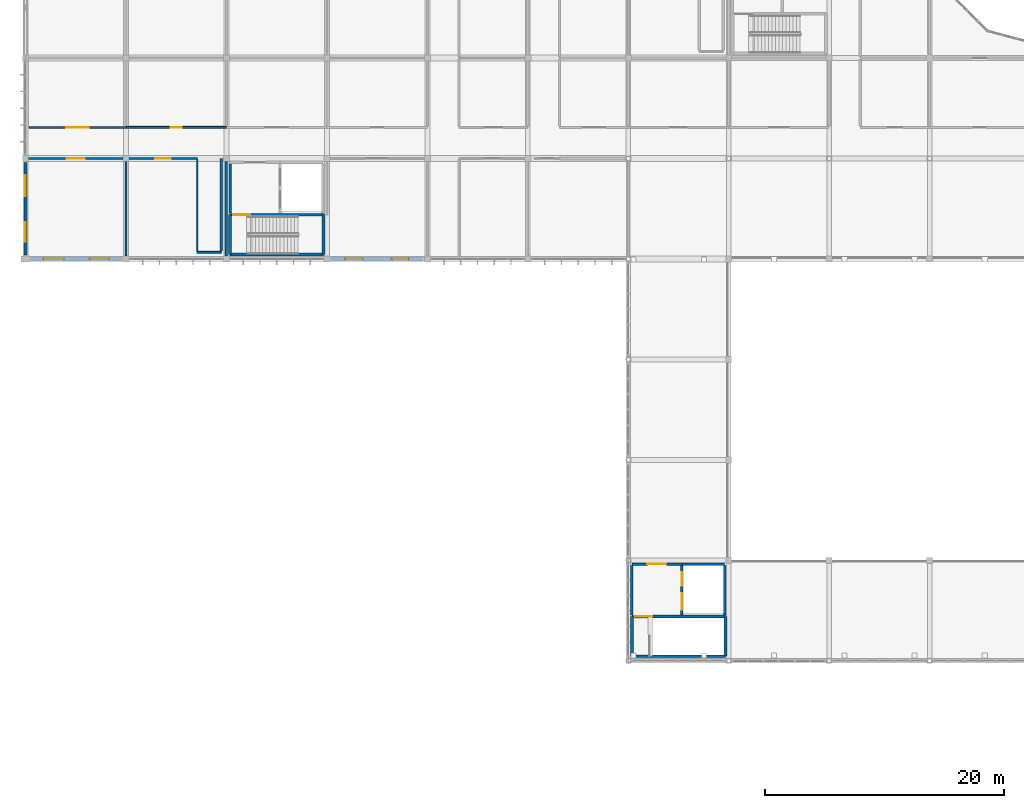
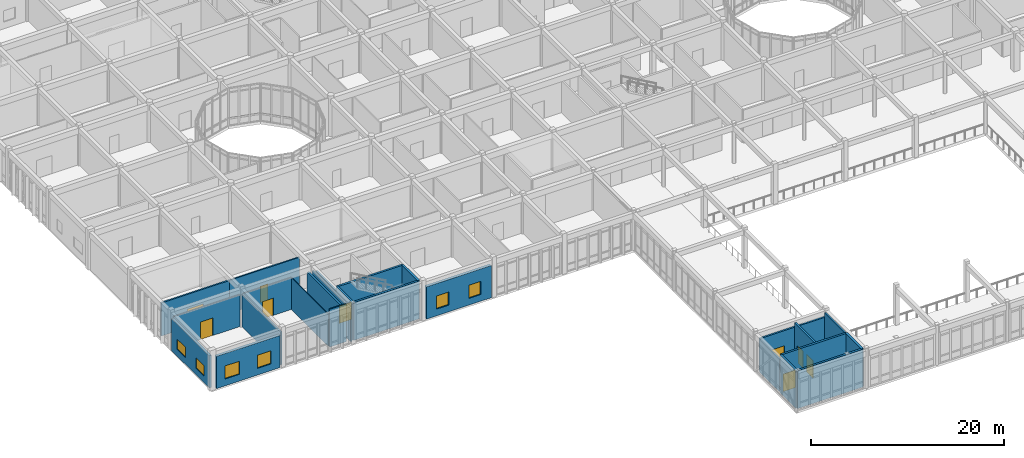
# One storey, part 91 of 134: 26 walls, 9 doors, 6 windows, 15 openings.
"""IFC4 building model written with IfcOpenShell, lengths in metres."""

from ifc_helpers import new_model, si_unit, direction, frame, frame_2d, origin, place, context, subcontext, project, spatial, rectangle, extrude, material, layer, layer_set, type_object, element, fill, save


model = new_model("IFC4")

# Units and contexts
model_context = context("Model", 3, precision=1e-05, world=origin(), true_north=direction((0.0, 1.0)))
body_context = subcontext(model_context, "Body", "Model", "MODEL_VIEW")
ifc_project = project(units=[si_unit("LENGTHUNIT", "METRE"), si_unit("AREAUNIT", "SQUARE_METRE"), si_unit("VOLUMEUNIT", "CUBIC_METRE"), si_unit("PLANEANGLEUNIT", "RADIAN"), si_unit("MASSUNIT", "GRAM", prefix="KILO")], contexts=[model_context])

# Site, building, storey
site_placement = place(None, origin())
site = spatial("IfcSite", under=ifc_project, at=site_placement, CompositionType="ELEMENT")
building_placement = place(site_placement, origin())
building = spatial("IfcBuilding", under=site, at=building_placement, Name="Bramfleet General Hospital", CompositionType="ELEMENT")
storey_placement = place(building_placement, frame((0.0, 0.0, 9.300048828125)))
storey = spatial("IfcBuildingStorey", under=building, at=storey_placement, Name="L02", CompositionType="ELEMENT", Elevation=9.300048828125)

# Wall, openings, windows
ifc_material_1 = material(Name="Precast concrete C40/50", Category="concrete")
ifc_layer_1 = layer(ifc_material_1, 0.3349609375, Name="WT-EW-03")
ifc_layer_set_1 = layer_set([ifc_layer_1], Name="Precast concrete C40/50")
wall_type_1 = type_object("IfcWallType", Name="WT-EW-03", PredefinedType="SOLIDWALL", material=ifc_layer_set_1)
wall_1_placement = place(storey_placement, frame((33.27490234375, 50.39990234375, 0.0), z_axis=(0.0, 0.0, 1.0), x_axis=(-1.0, 0.0, 0.0)))
wall_1 = element("IfcWall", 1, at=wall_1_placement, inside=storey, type_object=wall_type_1, Name="L02 Exterior Wall 232", PredefinedType="SOLIDWALL", context=body_context, shape_type="SweptSolid", body=[
    extrude(rectangle(XDim=7.75, YDim=0.3349609375, at=frame_2d((3.875, 0.0))), origin(), (0.0, 0.0, 1.0), 4.070068359375),
])
opening_1_placement = place(wall_1_placement, frame((1.237548828125, 0.0, 0.85009765625)))
opening_1 = element("IfcOpeningElement", 2, at=opening_1_placement, cuts=wall_1, Name="Opening W-34", PredefinedType="OPENING", context=body_context, shape_type="SweptSolid", body=[
    extrude(rectangle(XDim=1.39990234375, YDim=1.659912109375, at=frame_2d((0.699951171875, 0.830078125))), frame((0.0, 0.177490234375, 0.0), z_axis=(0.0, -1.0, 0.0), x_axis=(1.0, 0.0, 0.0)), (0.0, 0.0, 1.0), 0.35498046875),
])
opening_2_placement = place(wall_1_placement, frame((5.0625, 0.0, 0.85009765625)))
opening_2 = element("IfcOpeningElement", 3, at=opening_2_placement, cuts=wall_1, Name="Opening W-35", PredefinedType="OPENING", context=body_context, shape_type="SweptSolid", body=[
    extrude(rectangle(XDim=1.5, YDim=1.659912109375, at=frame_2d((0.75, 0.830078125))), frame((0.0, 0.177490234375, 0.0), z_axis=(0.0, -1.0, 0.0), x_axis=(1.0, 0.0, 0.0)), (0.0, 0.0, 1.0), 0.35498046875),
])
ifc_material_2 = material(Name="Anodised aluminium and low-E triple glazing", Category="aluminium")
window_type_1 = type_object("IfcWindowType", Name="WIN-W-34", PartitioningType="SINGLE_PANEL", PredefinedType="WINDOW", material=ifc_material_2)
window_1_placement = place(opening_1_placement, origin())
window_1 = element("IfcWindow", 4, at=window_1_placement, inside=storey, type_object=window_type_1, Name="L02 Facade Window WIN-L02-232-1", OverallHeight=1.659912109375, OverallWidth=1.39990234375, PartitioningType="SINGLE_PANEL", PredefinedType="WINDOW", context=body_context, shape_type="SweptSolid", body=[
    extrude(rectangle(XDim=1.39990234375, YDim=1.659912109375, at=frame_2d((0.699951171875, 0.830078125))), frame((0.0, 0.030029296875, 0.0), z_axis=(0.0, -1.0, 0.0), x_axis=(1.0, 0.0, 0.0)), (0.0, 0.0, 1.0), 0.06005859375),
])
fill(opening_1, window_1)
window_type_2 = type_object("IfcWindowType", Name="WIN-W-35", PartitioningType="SINGLE_PANEL", PredefinedType="WINDOW", material=ifc_material_2)
window_2_placement = place(opening_2_placement, origin())
window_2 = element("IfcWindow", 5, at=window_2_placement, inside=storey, type_object=window_type_2, Name="L02 Facade Window WIN-L02-232-2", OverallHeight=1.659912109375, OverallWidth=1.5, PartitioningType="SINGLE_PANEL", PredefinedType="WINDOW", context=body_context, shape_type="SweptSolid", body=[
    extrude(rectangle(XDim=1.5, YDim=1.659912109375, at=frame_2d((0.75, 0.830078125))), frame((0.0, 0.030029296875, 0.0), z_axis=(0.0, -1.0, 0.0), x_axis=(1.0, 0.0, 0.0)), (0.0, 0.0, 1.0), 0.06005859375),
])
fill(opening_2, window_2)

ifc_layer_2 = layer(ifc_material_1, 0.31494140625, Name="WT-EW-04")
ifc_layer_set_2 = layer_set([ifc_layer_2], Name="Precast concrete C40/50")
wall_type_2 = type_object("IfcWallType", Name="WT-EW-04", PredefinedType="SOLIDWALL", material=ifc_layer_set_2)
wall_2_placement = place(storey_placement, frame((8.074951171875, 50.39990234375, 0.0), z_axis=(0.0, 0.0, 1.0), x_axis=(-1.0, 0.0, 0.0)))
wall_2 = element("IfcWall", 6, at=wall_2_placement, inside=storey, type_object=wall_type_2, Name="L02 Exterior Wall 233", PredefinedType="SOLIDWALL", context=body_context, shape_type="SweptSolid", body=[
    extrude(rectangle(XDim=7.625, YDim=0.31494140625, at=frame_2d((3.8125, 0.0))), origin(), (0.0, 0.0, 1.0), 4.070068359375),
])
opening_3_placement = place(wall_2_placement, frame((1.106201171875, 0.0, 0.85009765625)))
opening_3 = element("IfcOpeningElement", 7, at=opening_3_placement, cuts=wall_2, Name="Opening W-36", PredefinedType="OPENING", context=body_context, shape_type="SweptSolid", body=[
    extrude(rectangle(XDim=1.60009765625, YDim=1.659912109375, at=frame_2d((0.800048828125, 0.830078125))), frame((0.0, 0.16748046875, 0.0), z_axis=(0.0, -1.0, 0.0), x_axis=(1.0, 0.0, 0.0)), (0.0, 0.0, 1.0), 0.3349609375),
])
opening_4_placement = place(wall_2_placement, frame((4.86865234375, 0.0, 0.85009765625)))
opening_4 = element("IfcOpeningElement", 8, at=opening_4_placement, cuts=wall_2, Name="Opening W-37", PredefinedType="OPENING", context=body_context, shape_type="SweptSolid", body=[
    extrude(rectangle(XDim=1.699951171875, YDim=1.659912109375, at=frame_2d((0.85009765625, 0.830078125))), frame((0.0, 0.16748046875, 0.0), z_axis=(0.0, -1.0, 0.0), x_axis=(1.0, 0.0, 0.0)), (0.0, 0.0, 1.0), 0.3349609375),
])
window_type_3 = type_object("IfcWindowType", Name="WIN-W-36", PartitioningType="SINGLE_PANEL", PredefinedType="WINDOW", material=ifc_material_2)
window_3_placement = place(opening_3_placement, origin())
window_3 = element("IfcWindow", 9, at=window_3_placement, inside=storey, type_object=window_type_3, Name="L02 Facade Window WIN-L02-233-1", OverallHeight=1.659912109375, OverallWidth=1.60009765625, PartitioningType="SINGLE_PANEL", PredefinedType="WINDOW", context=body_context, shape_type="SweptSolid", body=[
    extrude(rectangle(XDim=1.60009765625, YDim=1.659912109375, at=frame_2d((0.800048828125, 0.830078125))), frame((0.0, 0.030029296875, 0.0), z_axis=(0.0, -1.0, 0.0), x_axis=(1.0, 0.0, 0.0)), (0.0, 0.0, 1.0), 0.06005859375),
])
fill(opening_3, window_3)
window_type_4 = type_object("IfcWindowType", Name="WIN-W-37", PartitioningType="SINGLE_PANEL", PredefinedType="WINDOW", material=ifc_material_2)
window_4_placement = place(opening_4_placement, origin())
window_4 = element("IfcWindow", 10, at=window_4_placement, inside=storey, type_object=window_type_4, Name="L02 Facade Window WIN-L02-233-2", OverallHeight=1.659912109375, OverallWidth=1.699951171875, PartitioningType="SINGLE_PANEL", PredefinedType="WINDOW", context=body_context, shape_type="SweptSolid", body=[
    extrude(rectangle(XDim=1.699951171875, YDim=1.659912109375, at=frame_2d((0.85009765625, 0.830078125))), frame((0.0, 0.030029296875, 0.0), z_axis=(0.0, -1.0, 0.0), x_axis=(1.0, 0.0, 0.0)), (0.0, 0.0, 1.0), 0.06005859375),
])
fill(opening_4, window_4)

ifc_layer_3 = layer(ifc_material_1, 0.264892578125, Name="WT-EW-07")
ifc_layer_set_3 = layer_set([ifc_layer_3], Name="Precast concrete C40/50")
wall_type_3 = type_object("IfcWallType", Name="WT-EW-07", PredefinedType="SOLIDWALL", material=ifc_layer_set_3)
wall_3_placement = place(storey_placement, frame((0.0, 50.72509765625, 0.0), z_axis=(0.0, 0.0, 1.0), x_axis=(0.0, 1.0, 0.0)))
wall_3 = element("IfcWall", 11, at=wall_3_placement, inside=storey, type_object=wall_type_3, Name="L02 Exterior Wall 194", PredefinedType="SOLIDWALL", context=body_context, shape_type="SweptSolid", body=[
    extrude(rectangle(XDim=7.75, YDim=0.264892578125, at=frame_2d((3.875, 0.0))), origin(), (0.0, 0.0, 1.0), 4.070068359375),
])
opening_5_placement = place(wall_3_placement, frame((1.112548828125, 0.0, 0.85009765625)))
opening_5 = element("IfcOpeningElement", 12, at=opening_5_placement, cuts=wall_3, Name="Opening W-08", PredefinedType="OPENING", context=body_context, shape_type="SweptSolid", body=[
    extrude(rectangle(XDim=1.64990234375, YDim=1.300048828125, at=frame_2d((0.824951171875, 0.64990234375))), frame((0.0, 0.142333984375, 0.0), z_axis=(0.0, -1.0, 0.0), x_axis=(1.0, 0.0, 0.0)), (0.0, 0.0, 1.0), 0.284912109375),
])
opening_6_placement = place(wall_3_placement, frame((4.9375, 0.0, 0.85009765625)))
opening_6 = element("IfcOpeningElement", 13, at=opening_6_placement, cuts=wall_3, Name="Opening W-09", PredefinedType="OPENING", context=body_context, shape_type="SweptSolid", body=[
    extrude(rectangle(XDim=1.75, YDim=1.300048828125, at=frame_2d((0.875, 0.64990234375))), frame((0.0, 0.142333984375, 0.0), z_axis=(0.0, -1.0, 0.0), x_axis=(1.0, 0.0, 0.0)), (0.0, 0.0, 1.0), 0.284912109375),
])
window_type_5 = type_object("IfcWindowType", Name="WIN-W-08", PartitioningType="SINGLE_PANEL", PredefinedType="WINDOW", material=ifc_material_2)
window_5_placement = place(opening_5_placement, origin())
window_5 = element("IfcWindow", 14, at=window_5_placement, inside=storey, type_object=window_type_5, Name="L02 Facade Window WIN-L02-194-1", OverallHeight=1.300048828125, OverallWidth=1.64990234375, PartitioningType="SINGLE_PANEL", PredefinedType="WINDOW", context=body_context, shape_type="SweptSolid", body=[
    extrude(rectangle(XDim=1.64990234375, YDim=1.300048828125, at=frame_2d((0.824951171875, 0.64990234375))), frame((0.0, 0.030029296875, 0.0), z_axis=(0.0, -1.0, 0.0), x_axis=(1.0, 0.0, 0.0)), (0.0, 0.0, 1.0), 0.06005859375),
])
fill(opening_5, window_5)
window_type_6 = type_object("IfcWindowType", Name="WIN-W-09", PartitioningType="SINGLE_PANEL", PredefinedType="WINDOW", material=ifc_material_2)
window_6_placement = place(opening_6_placement, origin())
window_6 = element("IfcWindow", 15, at=window_6_placement, inside=storey, type_object=window_type_6, Name="L02 Facade Window WIN-L02-194-2", OverallHeight=1.300048828125, OverallWidth=1.75, PartitioningType="SINGLE_PANEL", PredefinedType="WINDOW", context=body_context, shape_type="SweptSolid", body=[
    extrude(rectangle(XDim=1.75, YDim=1.300048828125, at=frame_2d((0.875, 0.64990234375))), frame((0.0, 0.030029296875, 0.0), z_axis=(0.0, -1.0, 0.0), x_axis=(1.0, 0.0, 0.0)), (0.0, 0.0, 1.0), 0.06005859375),
])
fill(opening_6, window_6)

# Wall
ifc_material_3 = material(Name="Concrete C35/45", Category="concrete")
ifc_layer_4 = layer(ifc_material_3, 0.219970703125, Name="WT-IW-01")
ifc_layer_set_4 = layer_set([ifc_layer_4], Name="Concrete C35/45")
wall_type_4 = type_object("IfcWallType", Name="WT-IW-01", PredefinedType="PARTITIONING", material=ifc_layer_set_4)
wall_4_placement = place(storey_placement, frame((16.35009765625, 51.06494140625, 0.0), z_axis=(0.0, 0.0, 1.0), x_axis=(0.0, 1.0, 0.0)))
element("IfcWall", 16, at=wall_4_placement, inside=storey, type_object=wall_type_4, Name="L02 Interior Partition IW-L02-2209", PredefinedType="PARTITIONING", context=body_context, shape_type="SweptSolid", body=[
    extrude(rectangle(XDim=7.735107421875, YDim=0.219970703125, at=frame_2d((3.86767578125, 0.0))), origin(), (0.0, 0.0, 1.0), 4.02001953125),
])

# Wall, openings, doors
ifc_layer_5 = layer(ifc_material_3, 0.205078125, Name="WT-IW-02")
ifc_layer_set_5 = layer_set([ifc_layer_5], Name="Concrete C35/45")
wall_type_5 = type_object("IfcWallType", Name="WT-IW-02", PredefinedType="PARTITIONING", material=ifc_layer_set_5)
wall_5_placement = place(storey_placement, frame((54.8798828125, 20.639892578125, 0.0), z_axis=(0.0, 0.0, 1.0), x_axis=(0.0, 1.0, 0.0)))
wall_5 = element("IfcWall", 17, at=wall_5_placement, inside=storey, type_object=wall_type_5, Name="L02 C1 Lobby East Shaft Wall", PredefinedType="PARTITIONING", context=body_context, shape_type="SweptSolid", body=[
    extrude(rectangle(XDim=4.1201171875, YDim=0.205078125, at=frame_2d((2.06005859375, 0.0))), origin(), (0.0, 0.0, 1.0), 4.77001953125),
])
opening_7_placement = place(wall_5_placement, frame((0.445068359375, 0.0, 0.0)))
opening_7 = element("IfcOpeningElement", 18, at=opening_7_placement, cuts=wall_5, Name="Opening LD-BL-02-L02", PredefinedType="OPENING", context=body_context, shape_type="SweptSolid", body=[
    extrude(rectangle(XDim=1.35009765625, YDim=2.199951171875, at=frame_2d((0.675048828125, 1.10009765625))), frame((0.0, 0.112548828125, 0.0), z_axis=(0.0, -1.0, 0.0), x_axis=(1.0, 0.0, 0.0)), (0.0, 0.0, 1.0), 0.22509765625),
])
opening_8_placement = place(wall_5_placement, frame((2.449951171875, 0.0, 0.0)))
opening_8 = element("IfcOpeningElement", 19, at=opening_8_placement, cuts=wall_5, Name="Opening LD-PL-01-L02", PredefinedType="OPENING", context=body_context, shape_type="SweptSolid", body=[
    extrude(rectangle(XDim=1.10009765625, YDim=2.14990234375, at=frame_2d((0.550048828125, 1.074951171875))), frame((0.0, 0.112548828125, 0.0), z_axis=(0.0, -1.0, 0.0), x_axis=(1.0, 0.0, 0.0)), (0.0, 0.0, 1.0), 0.22509765625),
])
ifc_material_4 = material(Name="Brushed stainless steel 1.4301", Category="steel")
door_type_1 = type_object("IfcDoorType", Name="DR-LD-01", OperationType="NOTDEFINED", PredefinedType="DOOR", material=ifc_material_4)
door_1_placement = place(opening_7_placement, origin())
door_1 = element("IfcDoor", 20, at=door_1_placement, inside=storey, type_object=door_type_1, Name="L02 Lift BL-02 Sliding Landing Door", OperationType="SLIDING_TO_LEFT", OverallHeight=2.199951171875, OverallWidth=1.35009765625, PredefinedType="DOOR", context=body_context, shape_type="SweptSolid", body=[
    extrude(rectangle(XDim=1.35009765625, YDim=2.199951171875, at=frame_2d((0.675048828125, 1.10009765625))), frame((0.0, 0.02490234375, 0.0), z_axis=(0.0, -1.0, 0.0), x_axis=(1.0, 0.0, 0.0)), (0.0, 0.0, 1.0), 0.050048828125),
])
fill(opening_7, door_1)
door_type_2 = type_object("IfcDoorType", Name="DR-LD-02", OperationType="NOTDEFINED", PredefinedType="DOOR", material=ifc_material_4)
door_2_placement = place(opening_8_placement, origin())
door_2 = element("IfcDoor", 21, at=door_2_placement, inside=storey, type_object=door_type_2, Name="L02 Lift PL-01 Sliding Landing Door", OperationType="SLIDING_TO_LEFT", OverallHeight=2.14990234375, OverallWidth=1.10009765625, PredefinedType="DOOR", context=body_context, shape_type="SweptSolid", body=[
    extrude(rectangle(XDim=1.10009765625, YDim=2.14990234375, at=frame_2d((0.550048828125, 1.074951171875))), frame((0.0, 0.02490234375, 0.0), z_axis=(0.0, -1.0, 0.0), x_axis=(1.0, 0.0, 0.0)), (0.0, 0.0, 1.0), 0.050048828125),
])
fill(opening_8, door_2)

# Walls
wall_6_placement = place(storey_placement, frame((58.449951171875, 20.639892578125, 0.0), z_axis=(0.0, 0.0, 1.0), x_axis=(0.0, 1.0, 0.0)))
element("IfcWall", 22, at=wall_6_placement, inside=storey, type_object=wall_type_5, Name="L02 C1 Lift Shaft East Wall", PredefinedType="PARTITIONING", context=body_context, shape_type="SweptSolid", body=[
    extrude(rectangle(XDim=4.1201171875, YDim=0.205078125, at=frame_2d((2.06005859375, 0.0))), origin(), (0.0, 0.0, 1.0), 4.77001953125),
])
wall_7_placement = place(storey_placement, frame((54.8798828125, 24.8798828125, 0.0), z_axis=(0.0, 0.0, 1.0), x_axis=(1.0, 0.0, 0.0)))
element("IfcWall", 23, at=wall_7_placement, inside=storey, type_object=wall_type_5, Name="L02 C1 Lift Shaft North Wall", PredefinedType="PARTITIONING", context=body_context, shape_type="SweptSolid", body=[
    extrude(rectangle(XDim=3.570068359375, YDim=0.205078125, at=frame_2d((1.78515625, 0.0))), origin(), (0.0, 0.0, 1.0), 4.169921875),
])
wall_8_placement = place(storey_placement, frame((50.699951171875, 20.639892578125, 0.0), z_axis=(0.0, 0.0, 1.0), x_axis=(0.0, 1.0, 0.0)))
element("IfcWall", 24, at=wall_8_placement, inside=storey, type_object=wall_type_5, Name="L02 C1 Lobby West Compartment Wall", PredefinedType="PARTITIONING", context=body_context, shape_type="SweptSolid", body=[
    extrude(rectangle(XDim=4.1201171875, YDim=0.205078125, at=frame_2d((2.06005859375, 0.0))), origin(), (0.0, 0.0, 1.0), 4.070068359375),
])

# Wall, opening, door
wall_9_placement = place(storey_placement, frame((50.699951171875, 24.8798828125, 0.0), z_axis=(0.0, 0.0, 1.0), x_axis=(1.0, 0.0, 0.0)))
wall_9 = element("IfcWall", 25, at=wall_9_placement, inside=storey, type_object=wall_type_5, Name="L02 C1 Lobby North Compartment Wall", PredefinedType="PARTITIONING", context=body_context, shape_type="SweptSolid", body=[
    extrude(rectangle(XDim=4.179931640625, YDim=0.205078125, at=frame_2d((2.08984375, 0.0))), origin(), (0.0, 0.0, 1.0), 4.169921875),
])
opening_9_placement = place(wall_9_placement, frame((1.2900390625, 0.0, 0.0)))
opening_9 = element("IfcOpeningElement", 26, at=opening_9_placement, cuts=wall_9, Name="Opening D0008", PredefinedType="OPENING", context=body_context, shape_type="SweptSolid", body=[
    extrude(rectangle(XDim=1.60009765625, YDim=2.25, at=frame_2d((0.800048828125, 1.125))), frame((0.0, 0.112548828125, 0.0), z_axis=(0.0, -1.0, 0.0), x_axis=(1.0, 0.0, 0.0)), (0.0, 0.0, 1.0), 0.22509765625),
])
ifc_material_5 = material(Name="Stainless steel and acoustic timber leaf", Category="steel")
door_type_3 = type_object("IfcDoorType", Name="DR-D-04", OperationType="NOTDEFINED", PredefinedType="DOOR", material=ifc_material_5)
door_3_placement = place(opening_9_placement, origin())
door_3 = element("IfcDoor", 27, at=door_3_placement, inside=storey, type_object=door_type_3, Name="L02 C1 Lobby Fire Door D0008", OperationType="DOUBLE_SWING_LEFT", OverallHeight=2.25, OverallWidth=1.60009765625, PredefinedType="DOOR", context=body_context, shape_type="SweptSolid", body=[
    extrude(rectangle(XDim=1.60009765625, YDim=2.25, at=frame_2d((0.800048828125, 1.125))), frame((0.0, 0.02490234375, 0.0), z_axis=(0.0, -1.0, 0.0), x_axis=(1.0, 0.0, 0.0)), (0.0, 0.0, 1.0), 0.050048828125),
])
fill(opening_9, door_3)

# Walls
wall_10_placement = place(storey_placement, frame((17.10009765625, 54.239990234375, 0.0), z_axis=(0.0, 0.0, 1.0), x_axis=(0.0, 1.0, 0.0)))
element("IfcWall", 28, at=wall_10_placement, inside=storey, type_object=wall_type_5, Name="L02 C2 Lobby West Compartment Wall", PredefinedType="PARTITIONING", context=body_context, shape_type="SweptSolid", body=[
    extrude(rectangle(XDim=4.1201171875, YDim=0.205078125, at=frame_2d((2.06005859375, 0.0))), origin(), (0.0, 0.0, 1.0), 4.169921875),
])
wall_11_placement = place(storey_placement, frame((16.800048828125, 50.64501953125, 0.0), z_axis=(0.0, 0.0, 1.0), x_axis=(0.0, 1.0, 0.0)))
element("IfcWall", 29, at=wall_11_placement, inside=storey, type_object=wall_type_5, Name="L02 Interior Partition IW-L02-2210", PredefinedType="PARTITIONING", context=body_context, shape_type="SweptSolid", body=[
    extrude(rectangle(XDim=7.909912109375, YDim=0.205078125, at=frame_2d((3.955078125, 0.0))), origin(), (0.0, 0.0, 1.0), 4.169921875),
])

# Wall, opening, door
ifc_layer_6 = layer(ifc_material_3, 0.18994140625, Name="WT-IW-03")
ifc_layer_set_6 = layer_set([ifc_layer_6], Name="Concrete C35/45")
wall_type_6 = type_object("IfcWallType", Name="WT-IW-03", PredefinedType="PARTITIONING", material=ifc_layer_set_6)
wall_12_placement = place(storey_placement, frame((0.280029296875, 61.39990234375, 0.0), z_axis=(0.0, 0.0, 1.0), x_axis=(1.0, 0.0, 0.0)))
wall_12 = element("IfcWall", 30, at=wall_12_placement, inside=storey, type_object=wall_type_6, Name="L02 Interior Partition IW-L02-1985", PredefinedType="PARTITIONING", context=body_context, shape_type="SweptSolid", body=[
    extrude(rectangle(XDim=8.119873046875, YDim=0.18994140625, at=frame_2d((4.06005859375, 0.0))), origin(), (0.0, 0.0, 1.0), 4.169921875),
])
opening_10_placement = place(wall_12_placement, frame((3.110107421875, 0.0, 0.0)))
opening_10 = element("IfcOpeningElement", 31, at=opening_10_placement, cuts=wall_12, Name="Opening D0849", PredefinedType="OPENING", context=body_context, shape_type="SweptSolid", body=[
    extrude(rectangle(XDim=1.89990234375, YDim=2.300048828125, at=frame_2d((0.949951171875, 1.14990234375))), frame((0.0, 0.10498046875, 0.0), z_axis=(0.0, -1.0, 0.0), x_axis=(1.0, 0.0, 0.0)), (0.0, 0.0, 1.0), 0.2099609375),
])
door_type_4 = type_object("IfcDoorType", Name="DR-D-06", OperationType="NOTDEFINED", PredefinedType="DOOR", material=ifc_material_5)
door_4_placement = place(opening_10_placement, origin())
door_4 = element("IfcDoor", 32, at=door_4_placement, inside=storey, type_object=door_type_4, Name="Operating Theatre 1 Door D0849", OperationType="SLIDING_TO_LEFT", OverallHeight=2.300048828125, OverallWidth=1.89990234375, PredefinedType="DOOR", context=body_context, shape_type="SweptSolid", body=[
    extrude(rectangle(XDim=1.89990234375, YDim=2.300048828125, at=frame_2d((0.949951171875, 1.14990234375))), frame((0.0, 0.02490234375, 0.0), z_axis=(0.0, -1.0, 0.0), x_axis=(1.0, 0.0, 0.0)), (0.0, 0.0, 1.0), 0.050048828125),
])
fill(opening_10, door_4)

# Wall
ifc_layer_7 = layer(ifc_material_3, 0.179931640625, Name="WT-IW-04")
ifc_layer_set_7 = layer_set([ifc_layer_7], Name="Concrete C35/45")
wall_type_7 = type_object("IfcWallType", Name="WT-IW-04", PredefinedType="PARTITIONING", material=ifc_layer_set_7)
wall_13_placement = place(storey_placement, frame((8.39990234375, 50.64501953125, 0.0), z_axis=(0.0, 0.0, 1.0), x_axis=(0.0, 1.0, 0.0)))
element("IfcWall", 33, at=wall_13_placement, inside=storey, type_object=wall_type_7, Name="L02 Interior Partition IW-L02-2200", PredefinedType="PARTITIONING", context=body_context, shape_type="SweptSolid", body=[
    extrude(rectangle(XDim=7.909912109375, YDim=0.179931640625, at=frame_2d((3.955078125, 0.0))), origin(), (0.0, 0.0, 1.0), 4.169921875),
])

# Wall, opening, door
ifc_material_6 = material(Name="Gypsum plasterboard on acoustic steel studs", Category="steel")
ifc_layer_8 = layer(ifc_material_6, 0.159912109375, Name="WT-IW-06")
ifc_layer_set_8 = layer_set([ifc_layer_8], Name="Gypsum plasterboard on acoustic steel studs")
wall_type_8 = type_object("IfcWallType", Name="WT-IW-06", PredefinedType="PARTITIONING", material=ifc_layer_set_8)
wall_14_placement = place(storey_placement, frame((8.39990234375, 61.39990234375, 0.0), z_axis=(0.0, 0.0, 1.0), x_axis=(1.0, 0.0, 0.0)))
wall_14 = element("IfcWall", 34, at=wall_14_placement, inside=storey, type_object=wall_type_8, Name="L02 Interior Partition IW-L02-1986", PredefinedType="PARTITIONING", context=body_context, shape_type="SweptSolid", body=[
    extrude(rectangle(XDim=8.400146484375, YDim=0.159912109375, at=frame_2d((4.2001953125, 0.0))), origin(), (0.0, 0.0, 1.0), 4.169921875),
])
opening_11_placement = place(wall_14_placement, frame((3.739990234375, 0.0, 0.0)))
opening_11 = element("IfcOpeningElement", 35, at=opening_11_placement, cuts=wall_14, Name="Opening D0857", PredefinedType="OPENING", context=body_context, shape_type="SweptSolid", body=[
    extrude(rectangle(XDim=0.919921875, YDim=2.080078125, at=frame_2d((0.4599609375, 1.0400390625))), frame((0.0, 0.08984375, 0.0), z_axis=(0.0, -1.0, 0.0), x_axis=(1.0, 0.0, 0.0)), (0.0, 0.0, 1.0), 0.179931640625),
])
door_type_5 = type_object("IfcDoorType", Name="DR-D-25", OperationType="NOTDEFINED", PredefinedType="DOOR", material=ifc_material_5)
door_5_placement = place(opening_11_placement, origin())
door_5 = element("IfcDoor", 36, at=door_5_placement, inside=storey, type_object=door_type_5, Name="Post-Anaesthesia Recovery Ward Bay L02-0107 Door D0857", OperationType="SINGLE_SWING_RIGHT", OverallHeight=2.080078125, OverallWidth=0.919921875, PredefinedType="DOOR", context=body_context, shape_type="SweptSolid", body=[
    extrude(rectangle(XDim=0.919921875, YDim=2.080078125, at=frame_2d((0.4599609375, 1.0400390625))), frame((0.0, 0.02490234375, 0.0), z_axis=(0.0, -1.0, 0.0), x_axis=(1.0, 0.0, 0.0)), (0.0, 0.0, 1.0), 0.050048828125),
])
fill(opening_11, door_5)

# Wall
ifc_layer_9 = layer(ifc_material_6, 0.14990234375, Name="WT-IW-07")
ifc_layer_set_9 = layer_set([ifc_layer_9], Name="Gypsum plasterboard on acoustic steel studs")
wall_type_9 = type_object("IfcWallType", Name="WT-IW-07", PredefinedType="PARTITIONING", material=ifc_layer_set_9)
wall_15_placement = place(storey_placement, frame((14.35009765625, 50.949951171875, 0.0), z_axis=(0.0, 0.0, 1.0), x_axis=(1.0, 0.0, 0.0)))
element("IfcWall", 37, at=wall_15_placement, inside=storey, type_object=wall_type_9, Name="L02 Interior Partition IW-L02-1975", PredefinedType="PARTITIONING", context=body_context, shape_type="SweptSolid", body=[
    extrude(rectangle(XDim=2.0, YDim=0.14990234375, at=frame_2d((1.0, 0.0))), origin(), (0.0, 0.0, 1.0), 4.77001953125),
])

# Wall, opening, door
ifc_layer_10 = layer(ifc_material_6, 0.139892578125, Name="WT-IW-08")
ifc_layer_set_10 = layer_set([ifc_layer_10], Name="Gypsum plasterboard on acoustic steel studs")
wall_type_10 = type_object("IfcWallType", Name="WT-IW-08", PredefinedType="PARTITIONING", material=ifc_layer_set_10)
wall_16_placement = place(storey_placement, frame((0.2451171875, 58.800048828125, 0.0), z_axis=(0.0, 0.0, 1.0), x_axis=(1.0, 0.0, 0.0)))
wall_16 = element("IfcWall", 38, at=wall_16_placement, inside=storey, type_object=wall_type_10, Name="L02 Interior Partition IW-L02-1976", PredefinedType="PARTITIONING", context=body_context, shape_type="SweptSolid", body=[
    extrude(rectangle(XDim=7.909912109375, YDim=0.139892578125, at=frame_2d((3.955078125, 0.0))), origin(), (0.0, 0.0, 1.0), 4.02001953125),
])
opening_12_placement = place(wall_16_placement, frame((3.215087890625, 0.0, 0.0)))
opening_12 = element("IfcOpeningElement", 39, at=opening_12_placement, cuts=wall_16, Name="Opening D0848", PredefinedType="OPENING", context=body_context, shape_type="SweptSolid", body=[
    extrude(rectangle(XDim=1.47998046875, YDim=2.219970703125, at=frame_2d((0.739990234375, 1.10986328125))), frame((0.0, 0.079833984375, 0.0), z_axis=(0.0, -1.0, 0.0), x_axis=(1.0, 0.0, 0.0)), (0.0, 0.0, 1.0), 0.159912109375),
])
door_type_6 = type_object("IfcDoorType", Name="DR-D-16", OperationType="NOTDEFINED", PredefinedType="DOOR", material=ifc_material_5)
door_6_placement = place(opening_12_placement, origin())
door_6 = element("IfcDoor", 40, at=door_6_placement, inside=storey, type_object=door_type_6, Name="Surgical Scrub and Anaesthetic Induction 0006 Door D0848", OperationType="SINGLE_SWING_LEFT", OverallHeight=2.219970703125, OverallWidth=1.47998046875, PredefinedType="DOOR", context=body_context, shape_type="SweptSolid", body=[
    extrude(rectangle(XDim=1.47998046875, YDim=2.219970703125, at=frame_2d((0.739990234375, 1.10986328125))), frame((0.0, 0.02490234375, 0.0), z_axis=(0.0, -1.0, 0.0), x_axis=(1.0, 0.0, 0.0)), (0.0, 0.0, 1.0), 0.050048828125),
])
fill(opening_12, door_6)

ifc_layer_11 = layer(ifc_material_6, 0.1298828125, Name="WT-IW-09")
ifc_layer_set_11 = layer_set([ifc_layer_11], Name="Gypsum plasterboard on acoustic steel studs")
wall_type_11 = type_object("IfcWallType", Name="WT-IW-09", PredefinedType="PARTITIONING", material=ifc_layer_set_11)
wall_17_placement = place(storey_placement, frame((8.64501953125, 58.800048828125, 0.0), z_axis=(0.0, 0.0, 1.0), x_axis=(1.0, 0.0, 0.0)))
wall_17 = element("IfcWall", 41, at=wall_17_placement, inside=storey, type_object=wall_type_11, Name="L02 Interior Partition IW-L02-1977", PredefinedType="PARTITIONING", context=body_context, shape_type="SweptSolid", body=[
    extrude(rectangle(XDim=5.705078125, YDim=0.1298828125, at=frame_2d((2.8525390625, 0.0))), origin(), (0.0, 0.0, 1.0), 4.02001953125),
])
opening_13_placement = place(wall_17_placement, frame((2.1923828125, 0.0, 0.0)))
opening_13 = element("IfcOpeningElement", 42, at=opening_13_placement, cuts=wall_17, Name="Opening D0856", PredefinedType="OPENING", context=body_context, shape_type="SweptSolid", body=[
    extrude(rectangle(XDim=1.320068359375, YDim=2.179931640625, at=frame_2d((0.66015625, 1.08984375))), frame((0.0, 0.074951171875, 0.0), z_axis=(0.0, -1.0, 0.0), x_axis=(1.0, 0.0, 0.0)), (0.0, 0.0, 1.0), 0.14990234375),
])
door_type_7 = type_object("IfcDoorType", Name="DR-D-24", OperationType="NOTDEFINED", PredefinedType="DOOR", material=ifc_material_5)
door_7_placement = place(opening_13_placement, origin())
door_7 = element("IfcDoor", 43, at=door_7_placement, inside=storey, type_object=door_type_7, Name="Surgical Scrub and Anaesthetic Induction 0106 Door D0856", OperationType="SINGLE_SWING_LEFT", OverallHeight=2.179931640625, OverallWidth=1.320068359375, PredefinedType="DOOR", context=body_context, shape_type="SweptSolid", body=[
    extrude(rectangle(XDim=1.320068359375, YDim=2.179931640625, at=frame_2d((0.66015625, 1.08984375))), frame((0.0, 0.02490234375, 0.0), z_axis=(0.0, -1.0, 0.0), x_axis=(1.0, 0.0, 0.0)), (0.0, 0.0, 1.0), 0.050048828125),
])
fill(opening_13, door_7)

# Walls
ifc_layer_12 = layer(ifc_material_6, 0.10009765625, Name="WT-IW-12")
ifc_layer_set_12 = layer_set([ifc_layer_12], Name="Gypsum plasterboard on acoustic steel studs")
wall_type_12 = type_object("IfcWallType", Name="WT-IW-12", PredefinedType="PARTITIONING", material=ifc_layer_set_12)
wall_18_placement = place(storey_placement, frame((14.35009765625, 51.06494140625, 0.0), z_axis=(0.0, 0.0, 1.0), x_axis=(0.0, 1.0, 0.0)))
element("IfcWall", 44, at=wall_18_placement, inside=storey, type_object=wall_type_12, Name="L02 Interior Partition IW-L02-2208", PredefinedType="PARTITIONING", context=body_context, shape_type="SweptSolid", body=[
    extrude(rectangle(XDim=7.6201171875, YDim=0.10009765625, at=frame_2d((3.81005859375, 0.0))), origin(), (0.0, 0.0, 1.0), 4.02001953125),
])
ifc_material_7 = material(Name="Concrete C40/50", Category="concrete")
ifc_layer_13 = layer(ifc_material_7, 0.239990234375, Name="WT-SW-240")
ifc_layer_set_13 = layer_set([ifc_layer_13], Name="Concrete C40/50")
wall_type_13 = type_object("IfcWallType", Name="WT-SW-240", PredefinedType="SHEAR", material=ifc_layer_set_13)
wall_19_placement = place(storey_placement, frame((50.699951171875, 17.179931640625, 0.0), z_axis=(0.0, 0.0, 1.0), x_axis=(1.0, 0.0, 0.0)))
element("IfcWall", 45, at=wall_19_placement, inside=storey, type_object=wall_type_13, Name="L02 C1 South Stair Shear Wall", PredefinedType="SHEAR", context=body_context, shape_type="SweptSolid", body=[
    extrude(rectangle(XDim=7.820068359375, YDim=0.239990234375, at=frame_2d((3.91015625, 0.0))), origin(), (0.0, 0.0, 1.0), 4.780029296875),
])
for number, where, z_axis, x_axis, name in (
    (46, (50.699951171875, 17.179931640625, 0.0), (0.0, 0.0, 1.0), (0.0, 1.0, 0.0), "L02 C1 West Stair Shear Wall"),
    (47, (58.52001953125, 17.179931640625, 0.0), (0.0, 0.0, 1.0), (0.0, 1.0, 0.0), "L02 C1 East Stair Shear Wall"),
):
    element("IfcWall", number, at=place(storey_placement, frame(where, z_axis=z_axis, x_axis=x_axis)), inside=storey, type_object=wall_type_13, Name=name, PredefinedType="SHEAR", context=body_context, shape_type="SweptSolid", body=[
        extrude(rectangle(XDim=3.320068359375, YDim=0.239990234375, at=frame_2d((1.66015625, 0.0))), origin(), (0.0, 0.0, 1.0), 4.780029296875),
    ])

# Wall, opening, door
wall_20_placement = place(storey_placement, frame((50.699951171875, 20.5, 0.0), z_axis=(0.0, 0.0, 1.0), x_axis=(1.0, 0.0, 0.0)))
wall_20 = element("IfcWall", 48, at=wall_20_placement, inside=storey, type_object=wall_type_13, Name="L02 C1 Stair-Lobby Shear Wall", PredefinedType="SHEAR", context=body_context, shape_type="SweptSolid", body=[
    extrude(rectangle(XDim=7.820068359375, YDim=0.239990234375, at=frame_2d((3.91015625, 0.0))), origin(), (0.0, 0.0, 1.0), 4.780029296875),
])
opening_14_placement = place(wall_20_placement, frame((0.25, 0.0, 0.0)))
opening_14 = element("IfcOpeningElement", 49, at=opening_14_placement, cuts=wall_20, Name="Opening D0007", PredefinedType="OPENING", context=body_context, shape_type="SweptSolid", body=[
    extrude(rectangle(XDim=1.449951171875, YDim=2.199951171875, at=frame_2d((0.72509765625, 1.10009765625))), frame((0.0, 0.1298828125, 0.0), z_axis=(0.0, -1.0, 0.0), x_axis=(1.0, 0.0, 0.0)), (0.0, 0.0, 1.0), 0.260009765625),
])
door_type_8 = type_object("IfcDoorType", Name="DR-D-03", OperationType="NOTDEFINED", PredefinedType="DOOR", material=ifc_material_5)
door_8_placement = place(opening_14_placement, origin())
door_8 = element("IfcDoor", 50, at=door_8_placement, inside=storey, type_object=door_type_8, Name="L02 C1 Escape Stair Fire Door D0007", OperationType="SINGLE_SWING_RIGHT", OverallHeight=2.199951171875, OverallWidth=1.449951171875, PredefinedType="DOOR", context=body_context, shape_type="SweptSolid", body=[
    extrude(rectangle(XDim=1.449951171875, YDim=2.199951171875, at=frame_2d((0.72509765625, 1.10009765625))), frame((0.0, 0.02490234375, 0.0), z_axis=(0.0, -1.0, 0.0), x_axis=(1.0, 0.0, 0.0)), (0.0, 0.0, 1.0), 0.050048828125),
])
fill(opening_14, door_8)

# Walls
wall_21_placement = place(storey_placement, frame((17.10009765625, 50.780029296875, 0.0), z_axis=(0.0, 0.0, 1.0), x_axis=(1.0, 0.0, 0.0)))
element("IfcWall", 51, at=wall_21_placement, inside=storey, type_object=wall_type_13, Name="L02 C2 South Stair Shear Wall", PredefinedType="SHEAR", context=body_context, shape_type="SweptSolid", body=[
    extrude(rectangle(XDim=7.81982421875, YDim=0.239990234375, at=frame_2d((3.909912109375, 0.0))), origin(), (0.0, 0.0, 1.0), 4.780029296875),
])
for number, where, z_axis, x_axis, name in (
    (52, (17.10009765625, 50.780029296875, 0.0), (0.0, 0.0, 1.0), (0.0, 1.0, 0.0), "L02 C2 West Stair Shear Wall"),
    (53, (24.919921875, 50.780029296875, 0.0), (0.0, 0.0, 1.0), (0.0, 1.0, 0.0), "L02 C2 East Stair Shear Wall"),
):
    element("IfcWall", number, at=place(storey_placement, frame(where, z_axis=z_axis, x_axis=x_axis)), inside=storey, type_object=wall_type_13, Name=name, PredefinedType="SHEAR", context=body_context, shape_type="SweptSolid", body=[
        extrude(rectangle(XDim=3.320068359375, YDim=0.239990234375, at=frame_2d((1.66015625, 0.0))), origin(), (0.0, 0.0, 1.0), 4.780029296875),
    ])

# Wall, opening, door
wall_22_placement = place(storey_placement, frame((17.10009765625, 54.10009765625, 0.0), z_axis=(0.0, 0.0, 1.0), x_axis=(1.0, 0.0, 0.0)))
wall_22 = element("IfcWall", 54, at=wall_22_placement, inside=storey, type_object=wall_type_13, Name="L02 C2 Stair-Lobby Shear Wall", PredefinedType="SHEAR", context=body_context, shape_type="SweptSolid", body=[
    extrude(rectangle(XDim=7.81982421875, YDim=0.239990234375, at=frame_2d((3.909912109375, 0.0))), origin(), (0.0, 0.0, 1.0), 4.780029296875),
])
opening_15_placement = place(wall_22_placement, frame((0.25, 0.0, 0.0)))
opening_15 = element("IfcOpeningElement", 55, at=opening_15_placement, cuts=wall_22, Name="Opening D0015", PredefinedType="OPENING", context=body_context, shape_type="SweptSolid", body=[
    extrude(rectangle(XDim=1.449951171875, YDim=2.199951171875, at=frame_2d((0.72509765625, 1.10009765625))), frame((0.0, 0.1298828125, 0.0), z_axis=(0.0, -1.0, 0.0), x_axis=(1.0, 0.0, 0.0)), (0.0, 0.0, 1.0), 0.260009765625),
])
door_9_placement = place(opening_15_placement, origin())
door_9 = element("IfcDoor", 56, at=door_9_placement, inside=storey, type_object=door_type_8, Name="L02 C2 Escape Stair Fire Door D0015", OperationType="SINGLE_SWING_RIGHT", OverallHeight=2.199951171875, OverallWidth=1.449951171875, PredefinedType="DOOR", context=body_context, shape_type="SweptSolid", body=[
    extrude(rectangle(XDim=1.449951171875, YDim=2.199951171875, at=frame_2d((0.72509765625, 1.10009765625))), frame((0.0, 0.02490234375, 0.0), z_axis=(0.0, -1.0, 0.0), x_axis=(1.0, 0.0, 0.0)), (0.0, 0.0, 1.0), 0.050048828125),
])
fill(opening_15, door_9)

save(model, "model.ifc")
